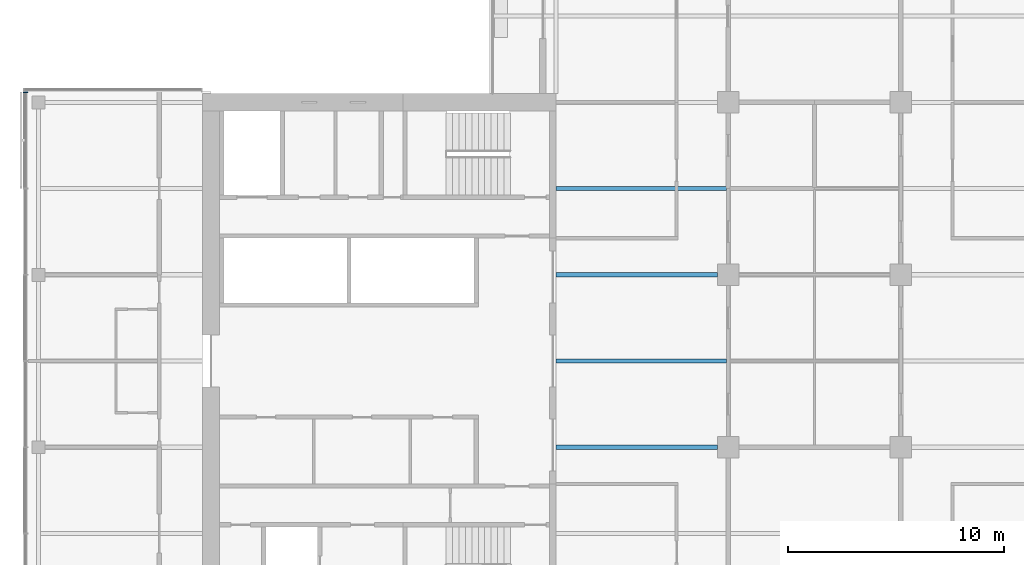
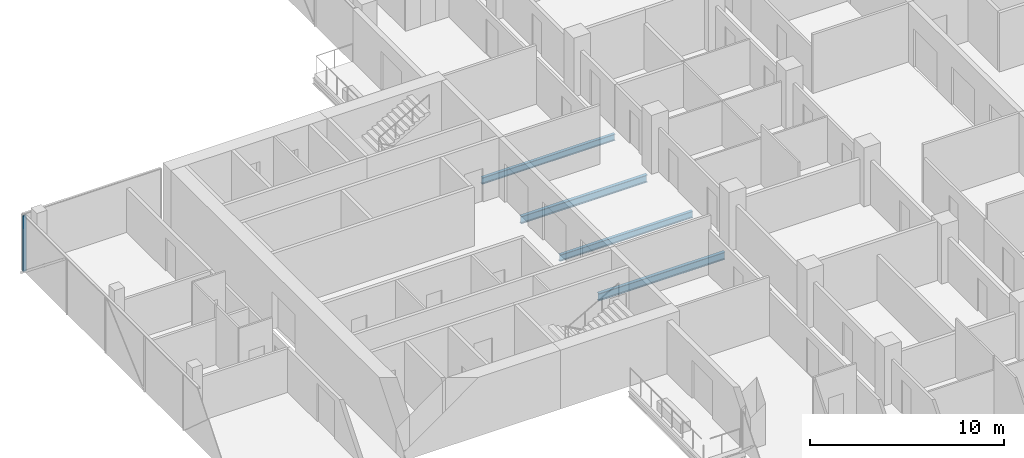
# One storey, part 7 of 27: 4 beams, 1 member, 1 element without a shape of its own.
"""IFC4 building model written with IfcOpenShell, lengths in metres."""

from ifc_helpers import new_model, si_unit, direction, frame, origin, origin_2d, place, context, subcontext, project, spatial, rectangle, i_section, extrude, material, material_profile, profile_set, type_object, element, aggregate, save


model = new_model("IFC4")

# Units and contexts
model_context = context("Model", 3, precision=1e-05, world=origin(), true_north=direction((0.0, 1.0)))
body_context = subcontext(model_context, "Body", "Model", "MODEL_VIEW")
ifc_project = project(units=[si_unit("LENGTHUNIT", "METRE"), si_unit("AREAUNIT", "SQUARE_METRE"), si_unit("VOLUMEUNIT", "CUBIC_METRE"), si_unit("PLANEANGLEUNIT", "RADIAN"), si_unit("MASSUNIT", "GRAM", prefix="KILO")], contexts=[model_context])

# Site, building, storey
site_placement = place(None, origin())
site = spatial("IfcSite", under=ifc_project, at=site_placement, CompositionType="ELEMENT")
building_placement = place(site_placement, origin())
building = spatial("IfcBuilding", under=site, at=building_placement, Name="Crosswind Convention Tower", CompositionType="ELEMENT")
storey_placement = place(building_placement, frame((0.0, 0.0, 101.60009765625)))
storey = spatial("IfcBuildingStorey", under=building, at=storey_placement, Name="L20", CompositionType="ELEMENT", Elevation=101.60009765625)

# Beams
ifc_material_1 = material(Name="Steel S355", Category="steel")
ifc_material_profile_1 = material_profile(ifc_material_1, i_section(OverallWidth=0.19189453125, OverallDepth=0.463623046875, WebThickness=0.010498046875, FlangeThickness=0.017578125, FilletRadius=0.01025390625, at=origin_2d()), Name="UB 457x191x90")
ifc_profile_set_1 = profile_set([ifc_material_profile_1], Name="Steel S355")
beam_type_1 = type_object("IfcBeamType", Name="Girder at core wall UB 457x191x90", PredefinedType="BEAM", material=ifc_profile_set_1)
for number, where, z_axis, x_axis, name in (
    (1, (113.0, 96.0, -0.511962890625), (1.0, 0.0, 0.0), (0.0, 1.0, 0.0), "B24 L20 girder at core wall 4"),
    (2, (113.0, 104.0, -0.511962890625), (1.0, 0.0, 0.0), (0.0, 1.0, 0.0), "B24 L20 girder at core wall 5"),
):
    element("IfcBeam", number, at=place(storey_placement, frame(where, z_axis=z_axis, x_axis=x_axis)), inside=storey, type_object=beam_type_1, Name=name, PredefinedType="BEAM", context=body_context, shape_type="SweptSolid", body=[
        extrude(i_section(OverallWidth=0.19189453125, OverallDepth=0.463623046875, WebThickness=0.010498046875, FlangeThickness=0.017578125, FilletRadius=0.01025390625, at=origin_2d()), origin(), (0.0, 0.0, 1.0), 7.5),
    ])

# Curtain wall, member
ifc_material_2 = material(Name="Aluminium unitised curtain wall", Category="aluminium")
curtain_wall_type = type_object("IfcCurtainWallType", Name="HOTEL UNITISED WALL 200", PredefinedType="USERDEFINED", material=ifc_material_2)
curtain_wall_placement = place(storey_placement, origin())
curtain_wall = element("IfcCurtainWall", 3, at=curtain_wall_placement, inside=storey, type_object=curtain_wall_type, Name="CW2 L20 W-TIP 1", ObjectType="UNITISED", PredefinedType="USERDEFINED")
ifc_material_3 = material(Name="Aluminium mullion", Category="aluminium")
ifc_material_profile_2 = material_profile(ifc_material_3, rectangle(XDim=0.199951171875, YDim=0.06494140625, at=origin_2d()), Name="AL 200X65")
ifc_profile_set_2 = profile_set([ifc_material_profile_2], Name="Aluminium mullion")
member_type = type_object("IfcMemberType", Name="MULLION 65X200", PredefinedType="MULLION", material=ifc_profile_set_2)
member_placement = place(storey_placement, frame((88.39990234375, 112.467529296875, -0.280029296875), z_axis=(0.0, 0.0, 1.0), x_axis=(-1.0, 0.0, 0.0)))
member = element("IfcMember", 4, at=member_placement, type_object=member_type, Name="CW2 mullion 1", PredefinedType="MULLION", context=body_context, shape_type="SweptSolid", body=[
    extrude(rectangle(XDim=0.199951171875, YDim=0.06494140625, at=origin_2d()), origin(), (0.0, 0.0, 1.0), 3.514892578125),
])
aggregate(curtain_wall, [member])

# Beams
ifc_material_profile_3 = material_profile(ifc_material_1, i_section(OverallWidth=0.177734375, OverallDepth=0.406494140625, WebThickness=0.0078125, FlangeThickness=0.0126953125, FilletRadius=0.01025390625, at=origin_2d()), Name="UB 406x178x60")
ifc_profile_set_3 = profile_set([ifc_material_profile_3], Name="Steel S355")
beam_type_2 = type_object("IfcBeamType", Name="Secondary beam UB 406x178x60", PredefinedType="JOIST", material=ifc_profile_set_3)
for number, where, z_axis, x_axis, name in (
    (5, (113.0, 100.0, -0.4833984375), (1.0, 0.0, 0.0), (0.0, 1.0, 0.0), "B10 L20 secondary beam 5"),
    (6, (113.0, 108.0, -0.4833984375), (1.0, 0.0, 0.0), (0.0, 1.0, 0.0), "B10 L20 secondary beam 6"),
):
    element("IfcBeam", number, at=place(storey_placement, frame(where, z_axis=z_axis, x_axis=x_axis)), inside=storey, type_object=beam_type_2, Name=name, PredefinedType="JOIST", context=body_context, shape_type="SweptSolid", body=[
        extrude(i_section(OverallWidth=0.177734375, OverallDepth=0.406494140625, WebThickness=0.0078125, FlangeThickness=0.0126953125, FilletRadius=0.01025390625, at=origin_2d()), origin(), (0.0, 0.0, 1.0), 7.904296875),
    ])

save(model, "model.ifc")
